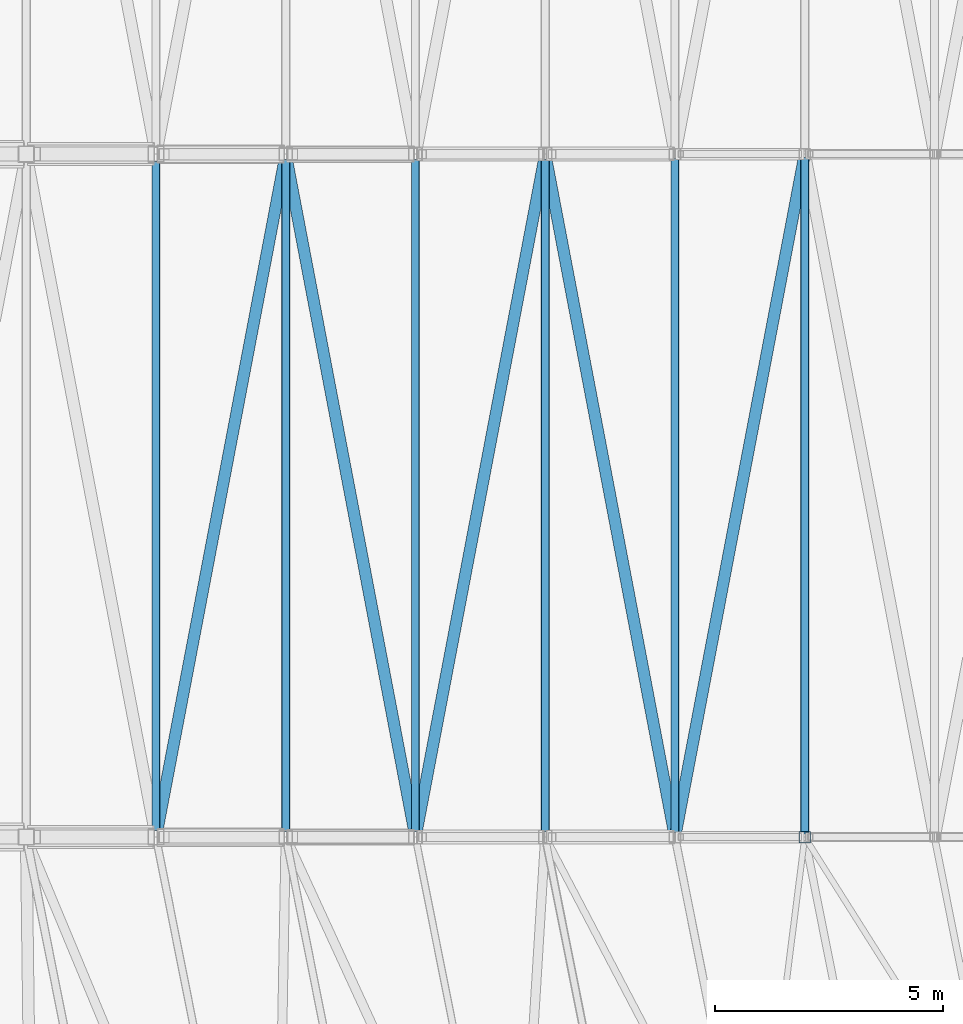
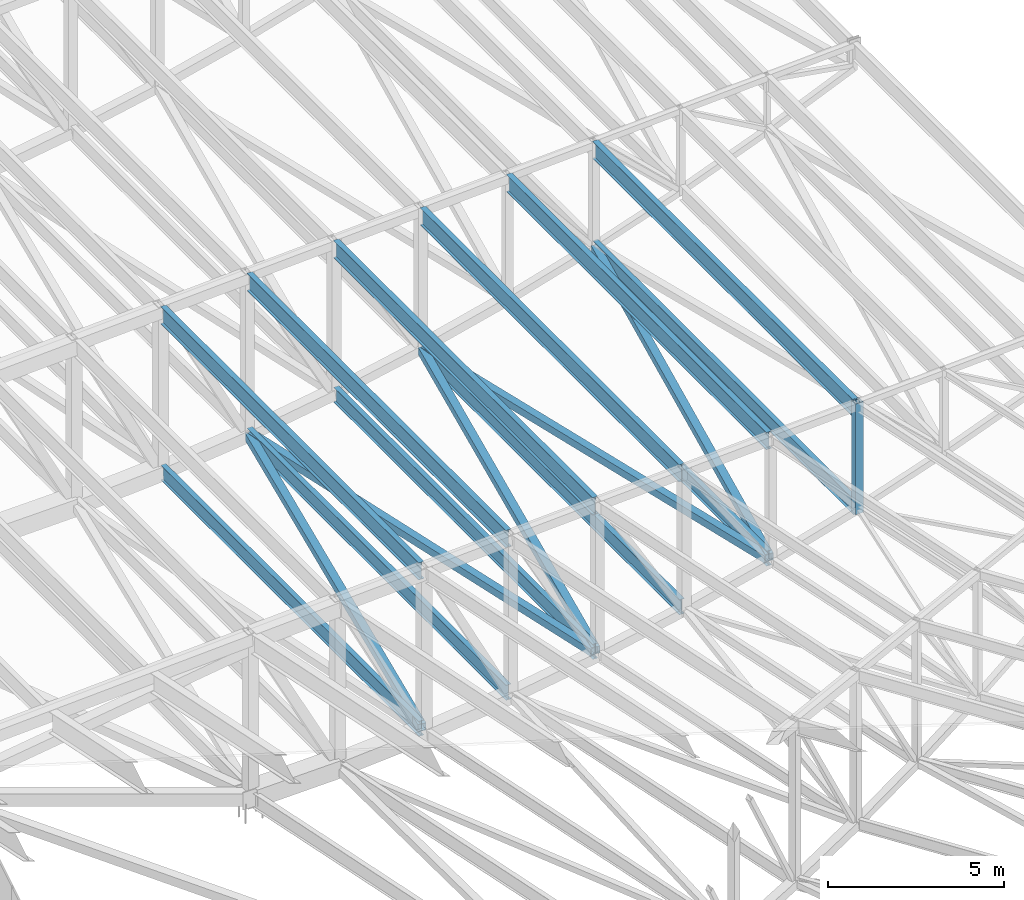
# One storey, part 12 of 278: 17 members, 1 beam.
"""IFC4 building model written with IfcOpenShell, lengths in metres."""

import ifcopenshell
import ifcopenshell.guid

model = None  # the IFC model being written
_history = None  # IfcOwnerHistory: only IFC2X3 demands one
_inside = {}  # id of a spatial element -> (the spatial element, [elements in it])
_under = {}  # id of a project, library or spatial element -> (it, [spatial elements below it])
_declared = {}  # id of a project -> (the project, [libraries it declares])
_typed = {}  # id of a type object -> (the type object, [elements of that type])
_made_of = {}  # id of a material, layer set ... -> (it, [elements and type objects made of it])


def new_model(schema):
    """Start an empty IFC model of exactly this schema.

    Asked for "IFC4X3", IfcOpenShell would pick the latest addendum, in which some entities
    have other attributes; the version numbers below select the first issue.
    IFC2X3 requires an IfcOwnerHistory on every rooted entity: one is made here for all.
    """
    global model, _history
    if schema == "IFC4X3":
        model = ifcopenshell.file(schema_version=(4, 3, 0, 0))
    else:
        model = ifcopenshell.file(schema=schema)
    _inside.clear()
    _under.clear()
    _declared.clear()
    _typed.clear()
    _made_of.clear()
    _history = None
    if model.schema == "IFC2X3":
        org = make("IfcOrganization", Name="unknown")
        user = make(
            "IfcPersonAndOrganization",
            ThePerson=make("IfcPerson", FamilyName="unknown"),
            TheOrganization=org,
        )
        app = make(
            "IfcApplication",
            ApplicationDeveloper=org,
            Version="unknown",
            ApplicationFullName="unknown",
            ApplicationIdentifier="unknown",
        )
        _history = make(
            "IfcOwnerHistory",
            OwningUser=user,
            OwningApplication=app,
            ChangeAction="ADDED",
            CreationDate=0,
        )
    return model


def make(cls, **values):
    """One entity of the class cls with the attributes given. An attribute that is None is left unset."""
    return model.create_entity(
        cls, **{name: value for name, value in values.items() if value is not None}
    )


def rooted(cls, **values):
    """An entity with a GlobalId (a new one), such as an element, a storey or a relation."""
    return make(cls, GlobalId=ifcopenshell.guid.new(), OwnerHistory=_history, **values)


def si_unit(unit_type, name, prefix=None):
    """IfcSIUnit, for example si_unit("LENGTHUNIT", "METRE", prefix="MILLI")."""
    return make("IfcSIUnit", UnitType=unit_type, Prefix=prefix, Name=name)


def assignment(units):
    """IfcUnitAssignment: the units of a project."""
    return None if units is None else make("IfcUnitAssignment", Units=units)


def point(xyz):
    """IfcCartesianPoint."""
    return None if xyz is None else make("IfcCartesianPoint", Coordinates=xyz)


def direction(xyz):
    """IfcDirection."""
    return None if xyz is None else make("IfcDirection", DirectionRatios=xyz)


def frame(location, z_axis=None, x_axis=None):
    """IfcAxis2Placement3D, a coordinate frame: its origin and axes. An axis left out is left unset."""
    return make(
        "IfcAxis2Placement3D",
        Location=point(location),
        Axis=direction(z_axis),
        RefDirection=direction(x_axis),
    )


def frame_2d(location, x_axis=None):
    """IfcAxis2Placement2D, a coordinate frame in the plane: its origin and x axis."""
    return make(
        "IfcAxis2Placement2D", Location=point(location), RefDirection=direction(x_axis)
    )


def origin():
    """The frame at (0, 0, 0) with its axes left unset."""
    return frame((0.0, 0.0, 0.0))


def origin_2d():
    """The frame at (0, 0) in the plane with its x axis left unset."""
    return frame_2d((0.0, 0.0))


def place(relative_to, where):
    """IfcLocalPlacement: puts the frame where relative to a parent placement (None: the world)."""
    return make(
        "IfcLocalPlacement", PlacementRelTo=relative_to, RelativePlacement=where
    )


def context(
    kind, dimensions, precision=None, world=None, true_north=None, identifier=None
):
    """IfcGeometricRepresentationContext, for example the 3D "Model" context."""
    return make(
        "IfcGeometricRepresentationContext",
        ContextIdentifier=identifier,
        ContextType=kind,
        CoordinateSpaceDimension=dimensions,
        Precision=precision,
        WorldCoordinateSystem=world,
        TrueNorth=true_north,
    )


def subcontext(parent, identifier, kind, view, scale=None):
    """IfcGeometricRepresentationSubContext, for example "Body" below "Model"."""
    return make(
        "IfcGeometricRepresentationSubContext",
        ContextIdentifier=identifier,
        ContextType=kind,
        ParentContext=parent,
        TargetScale=scale,
        TargetView=view,
    )


def project(units=None, contexts=None):
    """IfcProject with its units and contexts."""
    return rooted(
        "IfcProject",
        Name="project",
        RepresentationContexts=contexts,
        UnitsInContext=assignment(units),
    )


def spatial(cls, under=None, at=None, **own):
    """A site, building, storey or space (cls), placed at a placement, below another one or the project."""
    s = rooted(cls, ObjectPlacement=at, **own)
    if under is not None:
        _under.setdefault(under.id(), (under, []))[1].append(s)
    return s


def profile(cls, at=None, kind="AREA", **sizes):
    """A parametric profile (cls). Its sizes go by their IFC names, for example OverallWidth=200.0."""
    return make(cls, ProfileType=kind, Position=at, **sizes)


def hollow_rectangle(**sizes):
    """IfcRectangleHollowProfileDef."""
    return profile("IfcRectangleHollowProfileDef", **sizes)


def i_section(**sizes):
    """IfcIShapeProfileDef."""
    return profile("IfcIShapeProfileDef", **sizes)


def extrude(swept, where, along, depth):
    """IfcExtrudedAreaSolid: the profile swept, set in the frame where, extruded along a direction by depth."""
    return make(
        "IfcExtrudedAreaSolid",
        SweptArea=swept,
        Position=where,
        ExtrudedDirection=direction(along),
        Depth=depth,
    )


def shape(context_of_items, identifier, shape_type, items):
    """IfcShapeRepresentation: the items that make up one representation, for example the "Body"."""
    return make(
        "IfcShapeRepresentation",
        ContextOfItems=context_of_items,
        RepresentationIdentifier=identifier,
        RepresentationType=shape_type,
        Items=items,
    )


def material(Name=None, Category=None):
    """IfcMaterial."""
    return make("IfcMaterial", Name=Name, Category=Category)


def material_profile(
    of_material, cross_section, Name=None, Category=None, Priority=None
):
    """IfcMaterialProfile: a cross section and its material."""
    return make(
        "IfcMaterialProfile",
        Name=Name,
        Material=of_material,
        Profile=cross_section,
        Priority=Priority,
        Category=Category,
    )


def profile_set(profiles, Name=None, composite=None):
    """IfcMaterialProfileSet."""
    return make(
        "IfcMaterialProfileSet",
        Name=Name,
        MaterialProfiles=profiles,
        CompositeProfile=composite,
    )


def made_of(thing, what):
    """Note that an element or type object is made of a material, layer set ...; save() writes the relation."""
    if what is not None:
        _made_of.setdefault(what.id(), (what, []))[1].append(thing)
    return thing


def type_object(cls, material=None, **own):
    """A type object (cls), such as IfcWallType, which elements share."""
    return made_of(rooted(cls, **own), material)


def element(
    cls,
    number,
    at=None,
    inside=None,
    cuts=None,
    type_object=None,
    material=None,
    context=None,
    identifier="Body",
    shape_type=None,
    held_by="IfcProductDefinitionShape",
    body=None,
    shapes=None,
    **own,
):
    """One element of the class cls, such as IfcWall. Its Tag is "e" and its number.

    at: its placement. inside: the storey or other place that contains it. cuts: it is an
    opening in that element (IfcRelVoidsElement). A single representation is given by context,
    identifier, shape_type and body (its items); several are given by shapes. held_by: the class
    of the entity that holds the representations. save() writes the other relations.
    """
    e = rooted(cls, Tag="e%d" % number, ObjectPlacement=at, **own)
    if body is not None:
        shapes = [shape(context, identifier, shape_type, body)]
    if shapes is not None:
        e.Representation = make(held_by, Representations=shapes)
    if inside is not None:
        _inside.setdefault(inside.id(), (inside, []))[1].append(e)
    if cuts is not None:
        rooted(
            "IfcRelVoidsElement", RelatingBuildingElement=cuts, RelatedOpeningElement=e
        )
    if type_object is not None:
        _typed.setdefault(type_object.id(), (type_object, []))[1].append(e)
    return made_of(e, material)


def aggregate(whole, parts):
    """IfcRelAggregates: a whole, such as a stair, and the parts it consists of."""
    return rooted("IfcRelAggregates", RelatingObject=whole, RelatedObjects=parts)


def save(model, path):
    """Write the relations noted so far, then the file.

    IfcRelAggregates (storeys below a building ...), IfcRelContainedInSpatialStructure (elements
    in a storey), IfcRelDefinesByType, IfcRelAssociatesMaterial and IfcRelDeclares: one each for
    every whole, place, type object, material and project.
    """
    for whole, parts in _under.values():
        aggregate(whole, parts)
    for where, things in _inside.values():
        rooted(
            "IfcRelContainedInSpatialStructure",
            RelatedElements=things,
            RelatingStructure=where,
        )
    for kind, things in _typed.values():
        rooted("IfcRelDefinesByType", RelatedObjects=things, RelatingType=kind)
    for what, things in _made_of.values():
        rooted("IfcRelAssociatesMaterial", RelatedObjects=things, RelatingMaterial=what)
    for by, libraries in _declared.values():
        rooted("IfcRelDeclares", RelatingContext=by, RelatedDefinitions=libraries)
    model.write(path)


model = new_model("IFC4")

# Units and contexts
model_context = context("Model", 3, precision=1e-05, world=origin(), true_north=direction((0.0, 1.0)))
body_context = subcontext(model_context, "Body", "Model", "MODEL_VIEW")
ifc_project = project(units=[si_unit("LENGTHUNIT", "METRE"), si_unit("AREAUNIT", "SQUARE_METRE"), si_unit("VOLUMEUNIT", "CUBIC_METRE"), si_unit("PLANEANGLEUNIT", "RADIAN"), si_unit("MASSUNIT", "GRAM", prefix="KILO")], contexts=[model_context])

# Site, building, storey
site_placement = place(None, origin())
site = spatial("IfcSite", under=ifc_project, at=site_placement, CompositionType="ELEMENT")
building_placement = place(site_placement, origin())
building = spatial("IfcBuilding", under=site, at=building_placement, Name="Ogive Plaza Stadium", CompositionType="ELEMENT")
storey_placement = place(building_placement, frame((0.0, 0.0, 29.0)))
storey = spatial("IfcBuildingStorey", under=building, at=storey_placement, Name="Roof", CompositionType="ELEMENT", Elevation=29.0)

# Members
ifc_material_1 = material(Name="Steel ASTM A500 Grade C", Category="steel")
ifc_material_profile_1 = material_profile(ifc_material_1, hollow_rectangle(XDim=0.25390625, YDim=0.25390625, WallThickness=0.0087890625, at=origin_2d()), Name="HSS10X10X3/8")
ifc_profile_set_1 = profile_set([ifc_material_profile_1], Name="Steel ASTM A500 Grade C")
member_type_1 = type_object("IfcMemberType", Name="Roof plan brace HSS10X10X3/8", PredefinedType="BRACE", material=ifc_profile_set_1)
member_1_placement = place(storey_placement, frame((-54.068115234375, -37.595947265625, 3.27001953125), z_axis=(-0.186406461707, -0.981044003163, -0.052965034622), x_axis=(0.982422964001, -0.186668475654, 0.0)))
element("IfcMember", 1, at=member_1_placement, inside=storey, type_object=member_type_1, Name="ROOF BRACE B21 4", PredefinedType="BRACE", context=body_context, shape_type="SweptSolid", body=[
    extrude(hollow_rectangle(XDim=0.25390625, YDim=0.25390625, WallThickness=0.0087890625, at=origin_2d()), origin(), (0.0, 0.0, 1.0), 15.068359375),
])
member_2_placement = place(storey_placement, frame((-56.923095703125, -52.378662109375, 2.459716796875), z_axis=(-0.186461324063, 0.981373677857, -0.046237204039), x_axis=(-0.982424391989, -0.186660960097, 0.0)))
element("IfcMember", 2, at=member_2_placement, inside=storey, type_object=member_type_1, Name="ROOF BRACE B21 5", PredefinedType="BRACE", context=body_context, shape_type="SweptSolid", body=[
    extrude(hollow_rectangle(XDim=0.25390625, YDim=0.25390625, WallThickness=0.0087890625, at=origin_2d()), origin(), (0.0, 0.0, 1.0), 15.011474609375),
])
member_3_placement = place(storey_placement, frame((-59.77783203125, -37.646728515625, 1.753173828125), z_axis=(-0.186534960176, -0.981781820104, -0.036182403809), x_axis=(0.982425109661, -0.186657182843, 0.0)))
element("IfcMember", 3, at=member_3_placement, inside=storey, type_object=member_type_1, Name="ROOF BRACE B21 6", PredefinedType="BRACE", context=body_context, shape_type="SweptSolid", body=[
    extrude(hollow_rectangle(XDim=0.25390625, YDim=0.25390625, WallThickness=0.0087890625, at=origin_2d()), origin(), (0.0, 0.0, 1.0), 14.9794921875),
])
member_4_placement = place(storey_placement, frame((-62.6279296875, -52.353271484375, 1.20166015625), z_axis=(-0.186585145076, 0.982045956233, -0.027779911508), x_axis=(-0.982425109661, -0.186657182843, 0.0)))
element("IfcMember", 4, at=member_4_placement, inside=storey, type_object=member_type_1, Name="ROOF BRACE B21 7", PredefinedType="BRACE", context=body_context, shape_type="SweptSolid", body=[
    extrude(hollow_rectangle(XDim=0.25390625, YDim=0.25390625, WallThickness=0.0087890625, at=origin_2d()), origin(), (0.0, 0.0, 1.0), 14.975341796875),
])
member_5_placement = place(storey_placement, frame((-65.477783203125, -37.646728515625, 0.77880859375), z_axis=(-0.186639895054, -0.982268812283, -0.017706778071), x_axis=(0.982422833867, -0.186669160538, 0.0)))
element("IfcMember", 5, at=member_5_placement, inside=storey, type_object=member_type_1, Name="ROOF BRACE B21 8", PredefinedType="BRACE", context=body_context, shape_type="SweptSolid", body=[
    extrude(hollow_rectangle(XDim=0.25390625, YDim=0.25390625, WallThickness=0.0087890625, at=origin_2d()), origin(), (0.0, 0.0, 1.0), 14.946044921875),
])
ifc_material_2 = material(Name="Steel ASTM A992 Grade 50", Category="steel")
ifc_material_profile_2 = material_profile(ifc_material_2, i_section(OverallWidth=0.1650390625, OverallDepth=0.524658203125, WebThickness=0.0087890625, FlangeThickness=0.011474609375, at=origin_2d()), Name="W21X44")
ifc_profile_set_2 = profile_set([ifc_material_profile_2], Name="Steel ASTM A992 Grade 50")
member_type_2 = type_object("IfcMemberType", Name="Roof plan strut W21X44", PredefinedType="STRUT", material=ifc_profile_set_2)
member_6_placement = place(storey_placement, frame((-54.050048828125, -52.428466796875, 3.275146484375), z_axis=(0.0, 1.0, 0.0), x_axis=(-1.0, 0.0, 0.0)))
element("IfcMember", 6, at=member_6_placement, inside=storey, type_object=member_type_2, Name="ROOF STRUT B21 3", PredefinedType="STRUT", context=body_context, shape_type="SweptSolid", body=[
    extrude(i_section(OverallWidth=0.1650390625, OverallDepth=0.524658203125, WebThickness=0.0087890625, FlangeThickness=0.011474609375, at=origin_2d()), origin(), (0.0, 0.0, 1.0), 14.85693359375),
])
member_7_placement = place(storey_placement, frame((-56.89990234375, -52.403076171875, 2.46533203125), z_axis=(0.0, 1.0, 0.0), x_axis=(-1.0, 0.0, 0.0)))
element("IfcMember", 7, at=member_7_placement, inside=storey, type_object=member_type_2, Name="ROOF STRUT B21 4", PredefinedType="STRUT", context=body_context, shape_type="SweptSolid", body=[
    extrude(i_section(OverallWidth=0.1650390625, OverallDepth=0.524658203125, WebThickness=0.0087890625, FlangeThickness=0.011474609375, at=origin_2d()), origin(), (0.0, 0.0, 1.0), 14.80615234375),
])
for number, where, z_axis, x_axis, name in (
    (8, (-59.75, -52.377685546875, 1.758544921875), (0.0, 1.0, 0.0), (-1.0, 0.0, 0.0), "ROOF STRUT B21 5"),
    (9, (-62.60009765625, -52.377685546875, 1.205810546875), (0.0, 1.0, 0.0), (-1.0, 0.0, 0.0), "ROOF STRUT B21 6"),
    (10, (-65.449951171875, -52.377685546875, 0.781494140625), (0.0, 1.0, 0.0), (-1.0, 0.0, 0.0), "ROOF STRUT B21 7"),
):
    element("IfcMember", number, at=place(storey_placement, frame(where, z_axis=z_axis, x_axis=x_axis)), inside=storey, type_object=member_type_2, Name=name, PredefinedType="STRUT", context=body_context, shape_type="SweptSolid", body=[
        extrude(i_section(OverallWidth=0.1650390625, OverallDepth=0.524658203125, WebThickness=0.0087890625, FlangeThickness=0.011474609375, at=origin_2d()), origin(), (0.0, 0.0, 1.0), 14.75537109375),
    ])
member_8_placement = place(storey_placement, frame((-68.300048828125, -52.352294921875, 0.510986328125), z_axis=(0.0, 1.0, 0.0), x_axis=(-1.0, 0.0, 0.0)))
element("IfcMember", 11, at=member_8_placement, inside=storey, type_object=member_type_2, Name="ROOF STRUT B21 8", PredefinedType="STRUT", context=body_context, shape_type="SweptSolid", body=[
    extrude(i_section(OverallWidth=0.1650390625, OverallDepth=0.524658203125, WebThickness=0.0087890625, FlangeThickness=0.011474609375, at=origin_2d()), origin(), (0.0, 0.0, 1.0), 14.70458984375),
])
ifc_material_3 = material(Name="Steel ASTM A992 Grade 50", Category="steel")
ifc_material_profile_3 = material_profile(ifc_material_3, i_section(OverallWidth=0.177978515625, OverallDepth=0.5986328125, WebThickness=0.010009765625, FlangeThickness=0.012939453125, at=origin_2d()), Name="W24X55")
ifc_profile_set_3 = profile_set([ifc_material_profile_3], Name="Steel ASTM A992 Grade 50")
member_type_3 = type_object("IfcMemberType", Name="Roof purlin W24X55", PredefinedType="PURLIN", material=ifc_profile_set_3)
member_9_placement = place(storey_placement, frame((-54.050048828125, -52.428466796875, 6.6982421875), z_axis=(0.0, 1.0, 0.0), x_axis=(-1.0, 0.0, 0.0)))
element("IfcMember", 12, at=member_9_placement, inside=storey, type_object=member_type_3, Name="ROOF PURLIN B21 3", PredefinedType="PURLIN", context=body_context, shape_type="SweptSolid", body=[
    extrude(i_section(OverallWidth=0.177978515625, OverallDepth=0.5986328125, WebThickness=0.010009765625, FlangeThickness=0.012939453125, at=origin_2d()), origin(), (0.0, 0.0, 1.0), 14.85693359375),
])
member_10_placement = place(storey_placement, frame((-56.89990234375, -52.403076171875, 6.5556640625), z_axis=(0.0, 1.0, 0.0), x_axis=(-1.0, 0.0, 0.0)))
element("IfcMember", 13, at=member_10_placement, inside=storey, type_object=member_type_3, Name="ROOF PURLIN B21 4", PredefinedType="PURLIN", context=body_context, shape_type="SweptSolid", body=[
    extrude(i_section(OverallWidth=0.177978515625, OverallDepth=0.5986328125, WebThickness=0.010009765625, FlangeThickness=0.012939453125, at=origin_2d()), origin(), (0.0, 0.0, 1.0), 14.80615234375),
])
for number, where, z_axis, x_axis, name in (
    (14, (-59.75, -52.377685546875, 6.4130859375), (0.0, 1.0, 0.0), (-1.0, 0.0, 0.0), "ROOF PURLIN B21 5"),
    (15, (-62.60009765625, -52.377685546875, 6.270751953125), (0.0, 1.0, 0.0), (-1.0, 0.0, 0.0), "ROOF PURLIN B21 6"),
    (16, (-65.449951171875, -52.377685546875, 6.128173828125), (0.0, 1.0, 0.0), (-1.0, 0.0, 0.0), "ROOF PURLIN B21 7"),
):
    element("IfcMember", number, at=place(storey_placement, frame(where, z_axis=z_axis, x_axis=x_axis)), inside=storey, type_object=member_type_3, Name=name, PredefinedType="PURLIN", context=body_context, shape_type="SweptSolid", body=[
        extrude(i_section(OverallWidth=0.177978515625, OverallDepth=0.5986328125, WebThickness=0.010009765625, FlangeThickness=0.012939453125, at=origin_2d()), origin(), (0.0, 0.0, 1.0), 14.75537109375),
    ])
member_11_placement = place(storey_placement, frame((-68.300048828125, -52.352294921875, 5.985595703125), z_axis=(0.0, 1.0, 0.0), x_axis=(-1.0, 0.0, 0.0)))
element("IfcMember", 17, at=member_11_placement, inside=storey, type_object=member_type_3, Name="ROOF PURLIN B21 8", PredefinedType="PURLIN", context=body_context, shape_type="SweptSolid", body=[
    extrude(i_section(OverallWidth=0.177978515625, OverallDepth=0.5986328125, WebThickness=0.010009765625, FlangeThickness=0.012939453125, at=origin_2d()), origin(), (0.0, 0.0, 1.0), 14.70458984375),
])

# Beam
ifc_material_4 = material(Name="Steel ASTM A500 Grade C", Category="steel")
ifc_material_profile_4 = material_profile(ifc_material_4, hollow_rectangle(XDim=0.25390625, YDim=0.25390625, WallThickness=0.01171875, at=origin_2d()), Name="HSS10X10X1/2")
ifc_profile_set_4 = profile_set([ifc_material_profile_4], Name="Steel ASTM A500 Grade C")
beam_type = type_object("IfcBeamType", Name="Roof truss post HSS10X10X1/2", PredefinedType="BEAM", material=ifc_profile_set_4)
beam_placement = place(storey_placement, frame((-54.050048828125, -52.5, 3.148193359375), z_axis=(0.0, 0.0, 1.0), x_axis=(0.0, -1.0, 0.0)))
element("IfcBeam", 18, at=beam_placement, inside=storey, type_object=beam_type, Name="ROOF TRUSS T21 POST 4", PredefinedType="BEAM", context=body_context, shape_type="SweptSolid", body=[
    extrude(hollow_rectangle(XDim=0.25390625, YDim=0.25390625, WallThickness=0.01171875, at=origin_2d()), origin(), (0.0, 0.0, 1.0), 3.849365234375),
])

save(model, "model.ifc")
